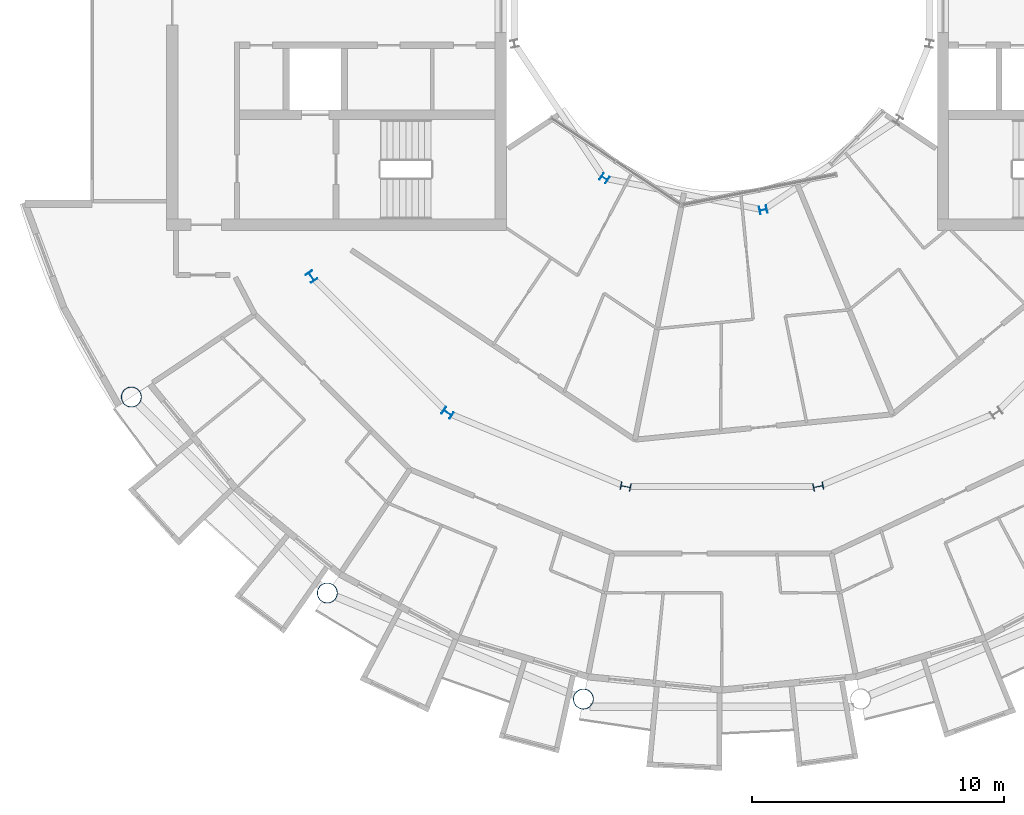
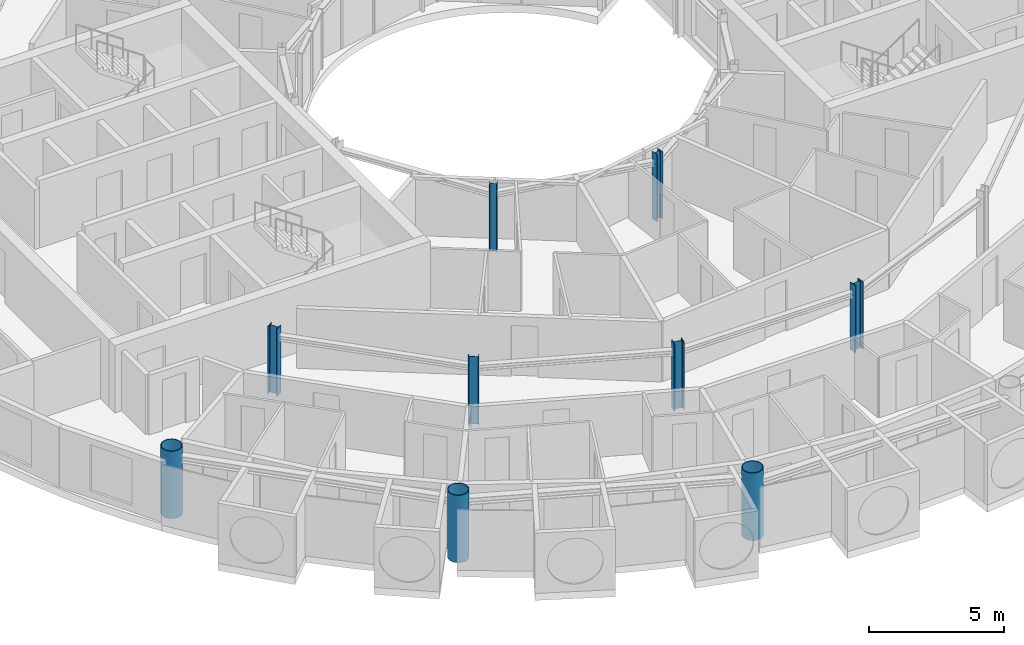
# One storey, part 1 of 29: 9 columns.
"""IFC4 building model written with IfcOpenShell, lengths in metres."""

from ifc_helpers import new_model, si_unit, direction, frame, origin, origin_2d, place, context, subcontext, project, spatial, hollow_circle, i_section, extrude, material, material_profile, profile_set, type_object, element, save


model = new_model("IFC4")

# Units and contexts
model_context = context("Model", 3, precision=1e-05, world=origin(), true_north=direction((0.0, 1.0)))
body_context = subcontext(model_context, "Body", "Model", "MODEL_VIEW")
ifc_project = project(units=[si_unit("LENGTHUNIT", "METRE"), si_unit("AREAUNIT", "SQUARE_METRE"), si_unit("VOLUMEUNIT", "CUBIC_METRE"), si_unit("PLANEANGLEUNIT", "RADIAN"), si_unit("MASSUNIT", "GRAM", prefix="KILO")], contexts=[model_context])

# Site, building, storey
site_placement = place(None, origin())
site = spatial("IfcSite", under=ifc_project, at=site_placement, CompositionType="ELEMENT")
building_placement = place(site_placement, origin())
building = spatial("IfcBuilding", under=site, at=building_placement, Name="Maasbend Ring Residences", CompositionType="ELEMENT")
storey_placement = place(building_placement, frame((0.0, 0.0, 212.699951171875)))
storey = spatial("IfcBuildingStorey", under=building, at=storey_placement, Name="L61", CompositionType="ELEMENT", Elevation=212.699951171875)

# Columns
ifc_material_1 = material(Name="Composite concrete-filled steel tube S460NH / C80/95", Category="concrete")
ifc_material_profile_1 = material_profile(ifc_material_1, hollow_circle(Radius=0.406494140625, WallThickness=0.030029296875, at=origin_2d()), Name="Composite tube column CHS 813x30")
ifc_profile_set_1 = profile_set([ifc_material_profile_1], Name="Composite concrete-filled steel tube S460NH / C80/95")
column_type_1 = type_object("IfcColumnType", Name="Composite tube column CHS 813x30", PredefinedType="COLUMN", material=ifc_profile_set_1)
for number, where, z_axis, x_axis, name in (
    (1, (-23.447509765625, -15.6669921875, 0.0), (0.0, 0.0, 1.0), (1.0, 0.0, 0.0), "Outer column R10"),
    (2, (-15.6669921875, -23.447509765625, 0.0), (0.0, 0.0, 1.0), (1.0, 0.0, 0.0), "Outer column R11"),
    (3, (-5.50146484375, -27.658203125, 0.0), (0.0, 0.0, 1.0), (1.0, 0.0, 0.0), "Outer column R12"),
):
    element("IfcColumn", number, at=place(storey_placement, frame(where, z_axis=z_axis, x_axis=x_axis)), inside=storey, type_object=column_type_1, Name=name, PredefinedType="COLUMN", context=body_context, shape_type="SweptSolid", body=[
        extrude(hollow_circle(Radius=0.406494140625, WallThickness=0.030029296875, at=origin_2d()), origin(), (0.0, 0.0, 1.0), 3.050048828125),
    ])
ifc_material_2 = material(Name="Steel S355J2", Category="steel")
ifc_material_profile_2 = material_profile(ifc_material_2, i_section(OverallWidth=0.300048828125, OverallDepth=0.2900390625, WebThickness=0.008544921875, FlangeThickness=0.013916015625, FilletRadius=0.027099609375, at=origin_2d()), Name="HEA 300")
ifc_profile_set_2 = profile_set([ifc_material_profile_2], Name="Steel S355J2")
column_type_2 = type_object("IfcColumnType", Name="Steel column HEA 300", PredefinedType="COLUMN", material=ifc_profile_set_2)
for number, where, z_axis, x_axis, name in (
    (4, (-4.666748046875, -6.984375, 0.0), (0.0, 0.0, 1.0), (-0.55557023302, -0.831469612303, 0.0), "Well ring column R11"),
    (5, (1.638916015625, -8.238525390625, 0.0), (0.0, 0.0, 1.0), (0.195090322016, -0.980785280403, 0.0), "Well ring column R13"),
):
    element("IfcColumn", number, at=place(storey_placement, frame(where, z_axis=z_axis, x_axis=x_axis)), inside=storey, type_object=column_type_2, Name=name, PredefinedType="COLUMN", context=body_context, shape_type="SweptSolid", body=[
        extrude(i_section(OverallWidth=0.300048828125, OverallDepth=0.2900390625, WebThickness=0.008544921875, FlangeThickness=0.013916015625, FilletRadius=0.027099609375, at=origin_2d()), origin(), (0.0, 0.0, 1.0), 3.050048828125),
    ])
ifc_material_3 = material(Name="Steel S355J2", Category="steel")
ifc_material_profile_3 = material_profile(ifc_material_3, i_section(OverallWidth=0.300048828125, OverallDepth=0.39990234375, WebThickness=0.013427734375, FlangeThickness=0.02392578125, FilletRadius=0.027099609375, at=origin_2d()), Name="HEB 400")
ifc_profile_set_3 = profile_set([ifc_material_profile_3], Name="Steel S355J2")
column_type_3 = type_object("IfcColumnType", Name="Steel column HEB 400", PredefinedType="COLUMN", material=ifc_profile_set_3)
for number, where, z_axis, x_axis, name in (
    (6, (-16.296875, -10.88916015625, 0.0), (0.0, 0.0, 1.0), (-0.831469612303, -0.55557023302, 0.0), "Corridor ring column R10"),
    (7, (-10.88916015625, -16.296875, 0.0), (0.0, 0.0, 1.0), (-0.55557023302, -0.831469612303, 0.0), "Corridor ring column R11"),
    (8, (-3.82373046875, -19.223388671875, 0.0), (0.0, 0.0, 1.0), (-0.195090322016, -0.980785280403, 0.0), "Corridor ring column R12"),
    (9, (3.82373046875, -19.223388671875, 0.0), (0.0, 0.0, 1.0), (0.195090322016, -0.980785280403, 0.0), "Corridor ring column R13"),
):
    element("IfcColumn", number, at=place(storey_placement, frame(where, z_axis=z_axis, x_axis=x_axis)), inside=storey, type_object=column_type_3, Name=name, PredefinedType="COLUMN", context=body_context, shape_type="SweptSolid", body=[
        extrude(i_section(OverallWidth=0.300048828125, OverallDepth=0.39990234375, WebThickness=0.013427734375, FlangeThickness=0.02392578125, FilletRadius=0.027099609375, at=origin_2d()), origin(), (0.0, 0.0, 1.0), 3.050048828125),
    ])

save(model, "model.ifc")
